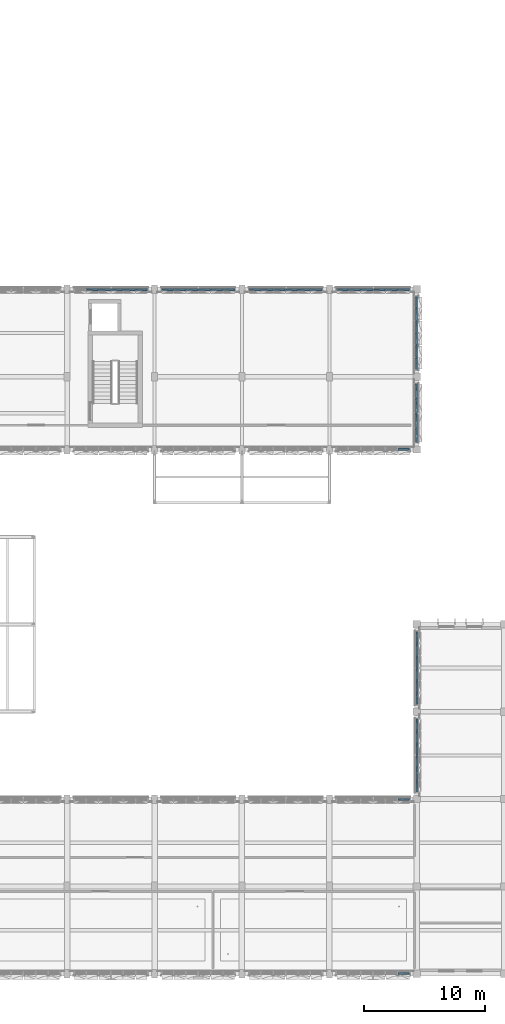
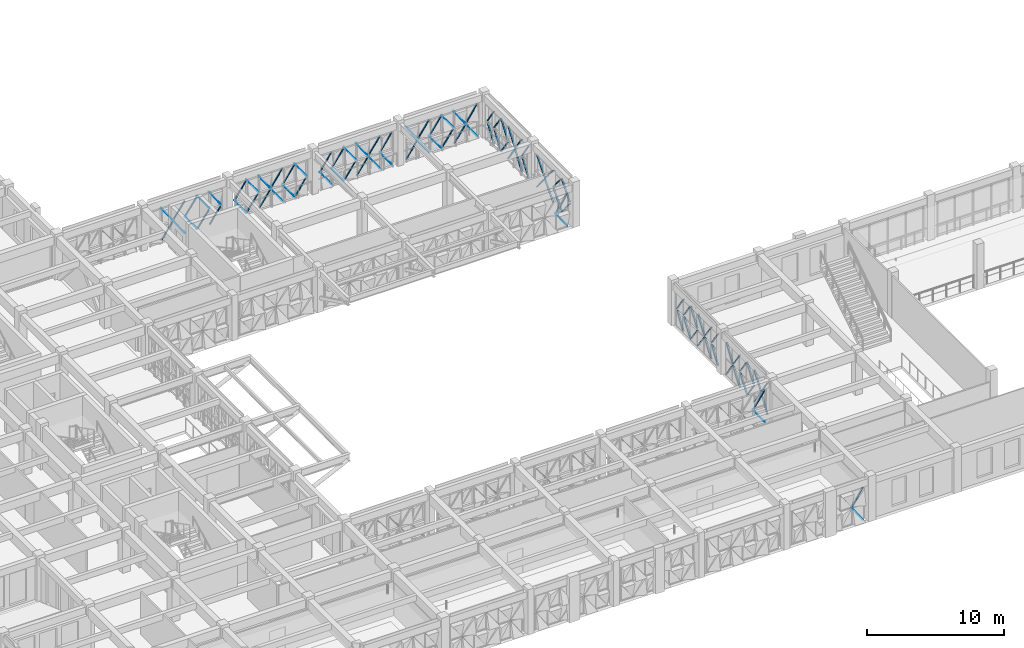
# One storey, part 54 of 88: 96 discrete accessories.
"""IFC4 building model written with IfcOpenShell, lengths in metres."""

from ifc_helpers import new_model, si_unit, direction, frame, origin, origin_2d, place, context, subcontext, project, spatial, rectangle, extrude, material, type_object, element, save


model = new_model("IFC4")

# Units and contexts
model_context = context("Model", 3, precision=1e-05, world=origin(), true_north=direction((0.0, 1.0)))
body_context = subcontext(model_context, "Body", "Model", "MODEL_VIEW")
ifc_project = project(units=[si_unit("LENGTHUNIT", "METRE"), si_unit("AREAUNIT", "SQUARE_METRE"), si_unit("VOLUMEUNIT", "CUBIC_METRE"), si_unit("PLANEANGLEUNIT", "RADIAN"), si_unit("MASSUNIT", "GRAM", prefix="KILO")], contexts=[model_context])

# Site, building, storey
site_placement = place(None, origin())
site = spatial("IfcSite", under=ifc_project, at=site_placement, CompositionType="ELEMENT")
building_placement = place(site_placement, origin())
building = spatial("IfcBuilding", under=site, at=building_placement, Name="Alvorim Cloister Faculty of Sciences", CompositionType="ELEMENT")
storey_placement = place(building_placement, frame((0.0, 0.0, 4.5)))
storey = spatial("IfcBuildingStorey", under=building, at=storey_placement, Name="L01", CompositionType="ELEMENT", Elevation=4.5)

# Discrete accessories
ifc_material = material(Name="Aluminium Alloy 6063-T6", Category="aluminium")
discrete_accessory_type = type_object("IfcDiscreteAccessoryType", Name="ACC-DIAG-BAR", PredefinedType="BRACKET", material=ifc_material)
for number, where, z_axis, x_axis, name in (
    (1, (37.597412109375, 56.37744140625, 0.159912109375), (0.574916047252, -0.00608926839, 0.818189745366), (0.010590984364, 0.999943913952, 0.0), "Diagonal Cassette Glazing Bracket ACC-00077"),
    (2, (37.597412109375, 56.37744140625, 3.010009765625), (0.574916047252, -0.00608926839, -0.818189745366), (0.010590984364, 0.999943913952, 0.0), "Diagonal Cassette Glazing Bracket ACC-00078"),
    (3, (38.617431640625, 56.37744140625, 1.5048828125), (0.574916047252, -0.00608926839, -0.818189745366), (0.010590984364, 0.999943913952, 0.0), "Diagonal Cassette Glazing Bracket ACC-00079"),
    (4, (38.617431640625, 56.37744140625, 1.6650390625), (0.574916047252, -0.00608926839, 0.818189745366), (0.010590984364, 0.999943913952, 0.0), "Diagonal Cassette Glazing Bracket ACC-00080"),
    (5, (39.637451171875, 56.37744140625, 1.5048828125), (0.574916047252, -0.00608926839, -0.818189745366), (0.010590984364, 0.999943913952, 0.0), "Diagonal Cassette Glazing Bracket ACC-00081"),
    (6, (39.637451171875, 56.37744140625, 1.6650390625), (0.574916047252, -0.00608926839, 0.818189745366), (0.010590984364, 0.999943913952, 0.0), "Diagonal Cassette Glazing Bracket ACC-00082"),
    (7, (40.657470703125, 56.37744140625, 0.159912109375), (0.574916047252, -0.00608926839, 0.818189745366), (0.010590984364, 0.999943913952, 0.0), "Diagonal Cassette Glazing Bracket ACC-00083"),
    (8, (40.657470703125, 56.37744140625, 3.010009765625), (0.574916047252, -0.00608926839, -0.818189745366), (0.010590984364, 0.999943913952, 0.0), "Diagonal Cassette Glazing Bracket ACC-00084"),
):
    element("IfcDiscreteAccessory", number, at=place(storey_placement, frame(where, z_axis=z_axis, x_axis=x_axis)), inside=storey, type_object=discrete_accessory_type, Name=name, PredefinedType="BRACKET", context=body_context, shape_type="SweptSolid", body=[
        extrude(rectangle(XDim=0.139892578125, YDim=0.044921875, at=origin_2d()), origin(), (0.0, 0.0, 1.0), 1.643798828125),
    ])
for number, where, z_axis, x_axis, name in (
    (9, (41.677490234375, 56.37744140625, 0.159912109375), (0.559299386617, -0.006169296436, 0.828942782049), (0.011029729889, 0.999939170679, 0.0), "Diagonal Cassette Glazing Bracket ACC-00085"),
    (10, (41.677490234375, 56.37744140625, 3.010009765625), (0.559299386617, -0.006169296436, -0.828942782049), (0.011029729889, 0.999939170679, 0.0), "Diagonal Cassette Glazing Bracket ACC-00086"),
    (11, (43.81494140625, 56.37744140625, 1.5048828125), (0.559299386617, -0.006169296436, -0.828942782049), (0.011029729889, 0.999939170679, 0.0), "Diagonal Cassette Glazing Bracket ACC-00088"),
    (12, (43.81494140625, 56.37744140625, 1.6650390625), (0.559299386617, -0.006169296436, 0.828942782049), (0.011029729889, 0.999939170679, 0.0), "Diagonal Cassette Glazing Bracket ACC-00089"),
):
    element("IfcDiscreteAccessory", number, at=place(storey_placement, frame(where, z_axis=z_axis, x_axis=x_axis)), inside=storey, type_object=discrete_accessory_type, Name=name, PredefinedType="BRACKET", context=body_context, shape_type="SweptSolid", body=[
        extrude(rectangle(XDim=0.139892578125, YDim=0.044921875, at=origin_2d()), origin(), (0.0, 0.0, 1.0), 1.62255859375),
    ])
for number, where, z_axis, x_axis, name in (
    (13, (44.797607421875, 56.37744140625, 0.159912109375), (0.574816605447, -0.006089788326, 0.818259607081), (0.010593720745, 0.999943884966, 0.0), "Diagonal Cassette Glazing Bracket ACC-00090"),
    (14, (44.797607421875, 56.37744140625, 3.010009765625), (0.574816605447, -0.006089788326, -0.818259607081), (0.010593720745, 0.999943884966, 0.0), "Diagonal Cassette Glazing Bracket ACC-00091"),
    (15, (45.8173828125, 56.37744140625, 0.159912109375), (0.574916047252, -0.00608926839, 0.818189745366), (0.010590984364, 0.999943913952, 0.0), "Diagonal Cassette Glazing Bracket ACC-00092"),
    (16, (45.8173828125, 56.37744140625, 3.010009765625), (0.574916047252, -0.00608926839, -0.818189745366), (0.010590984364, 0.999943913952, 0.0), "Diagonal Cassette Glazing Bracket ACC-00093"),
    (17, (46.83740234375, 56.37744140625, 1.5048828125), (0.574916047252, -0.00608926839, -0.818189745366), (0.010590984364, 0.999943913952, 0.0), "Diagonal Cassette Glazing Bracket ACC-00094"),
    (18, (46.83740234375, 56.37744140625, 1.6650390625), (0.574916047252, -0.00608926839, 0.818189745366), (0.010590984364, 0.999943913952, 0.0), "Diagonal Cassette Glazing Bracket ACC-00095"),
    (19, (47.857421875, 56.37744140625, 1.5048828125), (0.574916047252, -0.00608926839, -0.818189745366), (0.010590984364, 0.999943913952, 0.0), "Diagonal Cassette Glazing Bracket ACC-00096"),
    (20, (47.857421875, 56.37744140625, 1.6650390625), (0.574916047252, -0.00608926839, 0.818189745366), (0.010590984364, 0.999943913952, 0.0), "Diagonal Cassette Glazing Bracket ACC-00097"),
):
    element("IfcDiscreteAccessory", number, at=place(storey_placement, frame(where, z_axis=z_axis, x_axis=x_axis)), inside=storey, type_object=discrete_accessory_type, Name=name, PredefinedType="BRACKET", context=body_context, shape_type="SweptSolid", body=[
        extrude(rectangle(XDim=0.139892578125, YDim=0.044921875, at=origin_2d()), origin(), (0.0, 0.0, 1.0), 1.643798828125),
    ])
for number, where, z_axis, x_axis, name in (
    (21, (48.87744140625, 56.37744140625, 0.159912109375), (0.559299386617, -0.006169296436, 0.828942782049), (0.011029729889, 0.999939170679, 0.0), "Diagonal Cassette Glazing Bracket ACC-00098"),
    (22, (48.87744140625, 56.37744140625, 3.010009765625), (0.559299386617, -0.006169296436, -0.828942782049), (0.011029729889, 0.999939170679, 0.0), "Diagonal Cassette Glazing Bracket ACC-00099"),
    (23, (51.014892578125, 56.37744140625, 1.5048828125), (0.559402774614, -0.006168777235, -0.82887301919), (0.011026763674, 0.999939203393, 0.0), "Diagonal Cassette Glazing Bracket ACC-00101"),
    (24, (51.014892578125, 56.37744140625, 1.6650390625), (0.559402774614, -0.006168777235, 0.82887301919), (0.011026763674, 0.999939203393, 0.0), "Diagonal Cassette Glazing Bracket ACC-00102"),
):
    element("IfcDiscreteAccessory", number, at=place(storey_placement, frame(where, z_axis=z_axis, x_axis=x_axis)), inside=storey, type_object=discrete_accessory_type, Name=name, PredefinedType="BRACKET", context=body_context, shape_type="SweptSolid", body=[
        extrude(rectangle(XDim=0.139892578125, YDim=0.044921875, at=origin_2d()), origin(), (0.0, 0.0, 1.0), 1.62255859375),
    ])
for number, where, z_axis, x_axis, name in (
    (25, (51.99755859375, 56.37744140625, 1.5048828125), (0.574816605447, -0.006089788326, -0.818259607081), (0.010593720745, 0.999943884966, 0.0), "Diagonal Cassette Glazing Bracket ACC-00103"),
    (26, (51.99755859375, 56.37744140625, 1.6650390625), (0.574816605447, -0.006089788326, 0.818259607081), (0.010593720745, 0.999943884966, 0.0), "Diagonal Cassette Glazing Bracket ACC-00104"),
    (27, (53.017578125, 56.37744140625, 0.159912109375), (0.574816605447, -0.006089788326, 0.818259607081), (0.010593720745, 0.999943884966, 0.0), "Diagonal Cassette Glazing Bracket ACC-00105"),
    (28, (53.017578125, 56.37744140625, 3.010009765625), (0.574816605447, -0.006089788326, -0.818259607081), (0.010593720745, 0.999943884966, 0.0), "Diagonal Cassette Glazing Bracket ACC-00106"),
    (29, (54.03759765625, 56.37744140625, 0.159912109375), (0.574816605447, -0.006089788326, 0.818259607081), (0.010593720745, 0.999943884966, 0.0), "Diagonal Cassette Glazing Bracket ACC-00107"),
    (30, (54.03759765625, 56.37744140625, 3.010009765625), (0.574816605447, -0.006089788326, -0.818259607081), (0.010593720745, 0.999943884966, 0.0), "Diagonal Cassette Glazing Bracket ACC-00108"),
    (31, (55.0576171875, 56.37744140625, 1.5048828125), (0.574816605447, -0.006089788326, -0.818259607081), (0.010593720745, 0.999943884966, 0.0), "Diagonal Cassette Glazing Bracket ACC-00109"),
    (32, (55.0576171875, 56.37744140625, 1.6650390625), (0.574816605447, -0.006089788326, 0.818259607081), (0.010593720745, 0.999943884966, 0.0), "Diagonal Cassette Glazing Bracket ACC-00110"),
):
    element("IfcDiscreteAccessory", number, at=place(storey_placement, frame(where, z_axis=z_axis, x_axis=x_axis)), inside=storey, type_object=discrete_accessory_type, Name=name, PredefinedType="BRACKET", context=body_context, shape_type="SweptSolid", body=[
        extrude(rectangle(XDim=0.139892578125, YDim=0.044921875, at=origin_2d()), origin(), (0.0, 0.0, 1.0), 1.643798828125),
    ])
for number, where, z_axis, x_axis, name in (
    (33, (56.077392578125, 56.37744140625, 1.5048828125), (0.559402774614, -0.006168777235, -0.82887301919), (0.011026763674, 0.999939203393, 0.0), "Diagonal Cassette Glazing Bracket ACC-00111"),
    (34, (56.077392578125, 56.37744140625, 1.6650390625), (0.559402774614, -0.006168777235, 0.82887301919), (0.011026763674, 0.999939203393, 0.0), "Diagonal Cassette Glazing Bracket ACC-00112"),
    (35, (58.215087890625, 56.37744140625, 0.159912109375), (0.559299386617, -0.006169296436, 0.828942782049), (0.011029729889, 0.999939170679, 0.0), "Diagonal Cassette Glazing Bracket ACC-00114"),
    (36, (58.215087890625, 56.37744140625, 3.010009765625), (0.559299386617, -0.006169296436, -0.828942782049), (0.011029729889, 0.999939170679, 0.0), "Diagonal Cassette Glazing Bracket ACC-00115"),
):
    element("IfcDiscreteAccessory", number, at=place(storey_placement, frame(where, z_axis=z_axis, x_axis=x_axis)), inside=storey, type_object=discrete_accessory_type, Name=name, PredefinedType="BRACKET", context=body_context, shape_type="SweptSolid", body=[
        extrude(rectangle(XDim=0.139892578125, YDim=0.044921875, at=origin_2d()), origin(), (0.0, 0.0, 1.0), 1.62255859375),
    ])
for number, where, z_axis, x_axis, name in (
    (37, (59.197509765625, 56.37744140625, 1.5048828125), (0.574916047252, -0.00608926839, -0.818189745366), (0.010590984364, 0.999943913952, 0.0), "Diagonal Cassette Glazing Bracket ACC-00116"),
    (38, (59.197509765625, 56.37744140625, 1.6650390625), (0.574916047252, -0.00608926839, 0.818189745366), (0.010590984364, 0.999943913952, 0.0), "Diagonal Cassette Glazing Bracket ACC-00117"),
    (39, (60.217529296875, 56.37744140625, 1.5048828125), (0.574916047252, -0.00608926839, -0.818189745366), (0.010590984364, 0.999943913952, 0.0), "Diagonal Cassette Glazing Bracket ACC-00118"),
    (40, (60.217529296875, 56.37744140625, 1.6650390625), (0.574916047252, -0.00608926839, 0.818189745366), (0.010590984364, 0.999943913952, 0.0), "Diagonal Cassette Glazing Bracket ACC-00119"),
    (41, (61.237548828125, 56.37744140625, 0.159912109375), (0.574916047252, -0.00608926839, 0.818189745366), (0.010590984364, 0.999943913952, 0.0), "Diagonal Cassette Glazing Bracket ACC-00120"),
    (42, (61.237548828125, 56.37744140625, 3.010009765625), (0.574916047252, -0.00608926839, -0.818189745366), (0.010590984364, 0.999943913952, 0.0), "Diagonal Cassette Glazing Bracket ACC-00121"),
    (43, (62.257568359375, 56.37744140625, 0.159912109375), (0.574816605447, -0.006089788326, 0.818259607081), (0.010593720745, 0.999943884966, 0.0), "Diagonal Cassette Glazing Bracket ACC-00122"),
    (44, (62.257568359375, 56.37744140625, 3.010009765625), (0.574816605447, -0.006089788326, -0.818259607081), (0.010593720745, 0.999943884966, 0.0), "Diagonal Cassette Glazing Bracket ACC-00123"),
):
    element("IfcDiscreteAccessory", number, at=place(storey_placement, frame(where, z_axis=z_axis, x_axis=x_axis)), inside=storey, type_object=discrete_accessory_type, Name=name, PredefinedType="BRACKET", context=body_context, shape_type="SweptSolid", body=[
        extrude(rectangle(XDim=0.139892578125, YDim=0.044921875, at=origin_2d()), origin(), (0.0, 0.0, 1.0), 1.643798828125),
    ])
for number, where, z_axis, x_axis, name in (
    (45, (63.277587890625, 56.37744140625, 1.5048828125), (0.559299386617, -0.006169296436, -0.828942782049), (0.011029729889, 0.999939170679, 0.0), "Diagonal Cassette Glazing Bracket ACC-00124"),
    (46, (63.277587890625, 56.37744140625, 1.6650390625), (0.559299386617, -0.006169296436, 0.828942782049), (0.011029729889, 0.999939170679, 0.0), "Diagonal Cassette Glazing Bracket ACC-00125"),
    (47, (64.777587890625, 49.81494140625, 0.159912109375), (-0.006169296436, 0.559299386617, 0.828942782049), (-0.999939170679, -0.011029729889, 0.0), "Diagonal Cassette Glazing Bracket ACC-00127"),
    (48, (64.777587890625, 49.81494140625, 3.010009765625), (-0.006169296436, 0.559299386617, -0.828942782049), (-0.999939170679, -0.011029729889, 0.0), "Diagonal Cassette Glazing Bracket ACC-00128"),
):
    element("IfcDiscreteAccessory", number, at=place(storey_placement, frame(where, z_axis=z_axis, x_axis=x_axis)), inside=storey, type_object=discrete_accessory_type, Name=name, PredefinedType="BRACKET", context=body_context, shape_type="SweptSolid", body=[
        extrude(rectangle(XDim=0.139892578125, YDim=0.044921875, at=origin_2d()), origin(), (0.0, 0.0, 1.0), 1.62255859375),
    ])
for number, where, z_axis, x_axis, name in (
    (49, (64.777587890625, 50.797607421875, 0.159912109375), (-0.006089788326, 0.574816605447, 0.818259607081), (-0.999943884966, -0.010593720745, 0.0), "Diagonal Cassette Glazing Bracket ACC-00129"),
    (50, (64.777587890625, 50.797607421875, 3.010009765625), (-0.006089788326, 0.574816605447, -0.818259607081), (-0.999943884966, -0.010593720745, 0.0), "Diagonal Cassette Glazing Bracket ACC-00130"),
    (51, (64.777587890625, 51.8173828125, 1.5048828125), (-0.00608926839, 0.574916047252, -0.818189745366), (-0.999943913952, -0.010590984364, 0.0), "Diagonal Cassette Glazing Bracket ACC-00131"),
    (52, (64.777587890625, 51.8173828125, 1.6650390625), (-0.00608926839, 0.574916047252, 0.818189745366), (-0.999943913952, -0.010590984364, 0.0), "Diagonal Cassette Glazing Bracket ACC-00132"),
    (53, (64.777587890625, 52.83740234375, 1.5048828125), (-0.00608926839, 0.574916047252, -0.818189745366), (-0.999943913952, -0.010590984364, 0.0), "Diagonal Cassette Glazing Bracket ACC-00133"),
    (54, (64.777587890625, 52.83740234375, 1.6650390625), (-0.00608926839, 0.574916047252, 0.818189745366), (-0.999943913952, -0.010590984364, 0.0), "Diagonal Cassette Glazing Bracket ACC-00134"),
    (55, (64.777587890625, 53.857421875, 0.159912109375), (-0.00608926839, 0.574916047252, 0.818189745366), (-0.999943913952, -0.010590984364, 0.0), "Diagonal Cassette Glazing Bracket ACC-00135"),
    (56, (64.777587890625, 53.857421875, 3.010009765625), (-0.00608926839, 0.574916047252, -0.818189745366), (-0.999943913952, -0.010590984364, 0.0), "Diagonal Cassette Glazing Bracket ACC-00136"),
):
    element("IfcDiscreteAccessory", number, at=place(storey_placement, frame(where, z_axis=z_axis, x_axis=x_axis)), inside=storey, type_object=discrete_accessory_type, Name=name, PredefinedType="BRACKET", context=body_context, shape_type="SweptSolid", body=[
        extrude(rectangle(XDim=0.139892578125, YDim=0.044921875, at=origin_2d()), origin(), (0.0, 0.0, 1.0), 1.643798828125),
    ])
for number, where, z_axis, x_axis, name in (
    (57, (64.777587890625, 54.87744140625, 0.159912109375), (-0.006169296436, 0.559299386617, 0.828942782049), (-0.999939170679, -0.011029729889, 0.0), "Diagonal Cassette Glazing Bracket ACC-00137"),
    (58, (64.777587890625, 54.87744140625, 3.010009765625), (-0.006169296436, 0.559299386617, -0.828942782049), (-0.999939170679, -0.011029729889, 0.0), "Diagonal Cassette Glazing Bracket ACC-00138"),
):
    element("IfcDiscreteAccessory", number, at=place(storey_placement, frame(where, z_axis=z_axis, x_axis=x_axis)), inside=storey, type_object=discrete_accessory_type, Name=name, PredefinedType="BRACKET", context=body_context, shape_type="SweptSolid", body=[
        extrude(rectangle(XDim=0.139892578125, YDim=0.044921875, at=origin_2d()), origin(), (0.0, 0.0, 1.0), 1.62255859375),
    ])
for number, where, z_axis, x_axis, name in (
    (59, (64.777587890625, 43.81494140625, 1.5048828125), (-0.005723843268, 0.639115962921, -0.76908908688), (-0.999959898555, -0.008955516785, 0.0), "Diagonal Cassette Glazing Bracket ACC-00140"),
    (60, (64.777587890625, 43.81494140625, 1.6650390625), (-0.005723843268, 0.639115962921, 0.76908908688), (-0.999959898555, -0.008955516785, 0.0), "Diagonal Cassette Glazing Bracket ACC-00141"),
):
    element("IfcDiscreteAccessory", number, at=place(storey_placement, frame(where, z_axis=z_axis, x_axis=x_axis)), inside=storey, type_object=discrete_accessory_type, Name=name, PredefinedType="BRACKET", context=body_context, shape_type="SweptSolid", body=[
        extrude(rectangle(XDim=0.139892578125, YDim=0.044921875, at=origin_2d()), origin(), (0.0, 0.0, 1.0), 1.748779296875),
    ])
for number, where, z_axis, x_axis, name in (
    (61, (64.777587890625, 45.007568359375, 0.159912109375), (-0.005646016079, 0.651495172434, 0.758631770227), (-0.999962450223, -0.008665918508, 0.0), "Diagonal Cassette Glazing Bracket ACC-00142"),
    (62, (64.777587890625, 45.007568359375, 3.010009765625), (-0.005646016079, 0.651495172434, -0.758631770227), (-0.999962450223, -0.008665918508, 0.0), "Diagonal Cassette Glazing Bracket ACC-00143"),
    (63, (64.777587890625, 46.237548828125, 0.159912109375), (-0.005646016079, 0.651495172434, 0.758631770227), (-0.999962450223, -0.008665918508, 0.0), "Diagonal Cassette Glazing Bracket ACC-00144"),
    (64, (64.777587890625, 46.237548828125, 3.010009765625), (-0.005646016079, 0.651495172434, -0.758631770227), (-0.999962450223, -0.008665918508, 0.0), "Diagonal Cassette Glazing Bracket ACC-00145"),
):
    element("IfcDiscreteAccessory", number, at=place(storey_placement, frame(where, z_axis=z_axis, x_axis=x_axis)), inside=storey, type_object=discrete_accessory_type, Name=name, PredefinedType="BRACKET", context=body_context, shape_type="SweptSolid", body=[
        extrude(rectangle(XDim=0.139892578125, YDim=0.044921875, at=origin_2d()), origin(), (0.0, 0.0, 1.0), 1.77294921875),
    ])
for number, where, z_axis, x_axis, name in (
    (65, (64.777587890625, 47.467529296875, 1.5048828125), (-0.005724353987, 0.639033370661, -0.769157710066), (-0.999959881032, -0.008957473262, 0.0), "Diagonal Cassette Glazing Bracket ACC-00146"),
    (66, (64.777587890625, 47.467529296875, 1.6650390625), (-0.005724353987, 0.639033370661, 0.769157710066), (-0.999959881032, -0.008957473262, 0.0), "Diagonal Cassette Glazing Bracket ACC-00147"),
):
    element("IfcDiscreteAccessory", number, at=place(storey_placement, frame(where, z_axis=z_axis, x_axis=x_axis)), inside=storey, type_object=discrete_accessory_type, Name=name, PredefinedType="BRACKET", context=body_context, shape_type="SweptSolid", body=[
        extrude(rectangle(XDim=0.139892578125, YDim=0.044921875, at=origin_2d()), origin(), (0.0, 0.0, 1.0), 1.74853515625),
    ])
for number, where, z_axis, x_axis, name in (
    (67, (63.277587890625, 43.222412109375, 1.5048828125), (0.559299386617, 0.006169296436, -0.828942782049), (-0.011029729889, 0.999939170679, 0.0), "Diagonal Cassette Glazing Bracket ACC-00159"),
    (68, (63.277587890625, 43.222412109375, 1.6650390625), (0.559299386617, 0.006169296436, 0.828942782049), (-0.011029729889, 0.999939170679, 0.0), "Diagonal Cassette Glazing Bracket ACC-00160"),
    (69, (63.277587890625, 14.37744140625, 1.5048828125), (0.559299386617, -0.006169296436, -0.828942782049), (0.011029729889, 0.999939170679, 0.0), "Diagonal Cassette Glazing Bracket ACC-00315"),
    (70, (63.277587890625, 14.37744140625, 1.6650390625), (0.559299386617, -0.006169296436, 0.828942782049), (0.011029729889, 0.999939170679, 0.0), "Diagonal Cassette Glazing Bracket ACC-00316"),
    (71, (64.822509765625, 15.014892578125, 0.159912109375), (0.006168777235, 0.559402774614, 0.82887301919), (-0.999939203393, 0.011026763674, 0.0), "Diagonal Cassette Glazing Bracket ACC-00318"),
    (72, (64.822509765625, 15.014892578125, 3.010009765625), (0.006168777235, 0.559402774614, -0.82887301919), (-0.999939203393, 0.011026763674, 0.0), "Diagonal Cassette Glazing Bracket ACC-00319"),
):
    element("IfcDiscreteAccessory", number, at=place(storey_placement, frame(where, z_axis=z_axis, x_axis=x_axis)), inside=storey, type_object=discrete_accessory_type, Name=name, PredefinedType="BRACKET", context=body_context, shape_type="SweptSolid", body=[
        extrude(rectangle(XDim=0.139892578125, YDim=0.044921875, at=origin_2d()), origin(), (0.0, 0.0, 1.0), 1.62255859375),
    ])
for number, where, z_axis, x_axis, name in (
    (73, (64.822509765625, 15.99755859375, 1.5048828125), (0.006089788326, 0.574816605447, -0.818259607081), (-0.999943884966, 0.010593720745, 0.0), "Diagonal Cassette Glazing Bracket ACC-00320"),
    (74, (64.822509765625, 15.99755859375, 1.6650390625), (0.006089788326, 0.574816605447, 0.818259607081), (-0.999943884966, 0.010593720745, 0.0), "Diagonal Cassette Glazing Bracket ACC-00321"),
    (75, (64.822509765625, 17.017578125, 1.5048828125), (0.006089788326, 0.574816605447, -0.818259607081), (-0.999943884966, 0.010593720745, 0.0), "Diagonal Cassette Glazing Bracket ACC-00322"),
    (76, (64.822509765625, 17.017578125, 1.6650390625), (0.006089788326, 0.574816605447, 0.818259607081), (-0.999943884966, 0.010593720745, 0.0), "Diagonal Cassette Glazing Bracket ACC-00323"),
    (77, (64.822509765625, 18.03759765625, 0.159912109375), (0.006089788326, 0.574816605447, 0.818259607081), (-0.999943884966, 0.010593720745, 0.0), "Diagonal Cassette Glazing Bracket ACC-00324"),
    (78, (64.822509765625, 18.03759765625, 3.010009765625), (0.006089788326, 0.574816605447, -0.818259607081), (-0.999943884966, 0.010593720745, 0.0), "Diagonal Cassette Glazing Bracket ACC-00325"),
    (79, (64.822509765625, 19.0576171875, 0.159912109375), (0.006089788326, 0.574816605447, 0.818259607081), (-0.999943884966, 0.010593720745, 0.0), "Diagonal Cassette Glazing Bracket ACC-00326"),
    (80, (64.822509765625, 19.0576171875, 3.010009765625), (0.006089788326, 0.574816605447, -0.818259607081), (-0.999943884966, 0.010593720745, 0.0), "Diagonal Cassette Glazing Bracket ACC-00327"),
):
    element("IfcDiscreteAccessory", number, at=place(storey_placement, frame(where, z_axis=z_axis, x_axis=x_axis)), inside=storey, type_object=discrete_accessory_type, Name=name, PredefinedType="BRACKET", context=body_context, shape_type="SweptSolid", body=[
        extrude(rectangle(XDim=0.139892578125, YDim=0.044921875, at=origin_2d()), origin(), (0.0, 0.0, 1.0), 1.643798828125),
    ])
for number, where, z_axis, x_axis, name in (
    (81, (64.822509765625, 20.077392578125, 1.5048828125), (0.006168777235, 0.559402774614, -0.82887301919), (-0.999939203393, 0.011026763674, 0.0), "Diagonal Cassette Glazing Bracket ACC-00328"),
    (82, (64.822509765625, 20.077392578125, 1.6650390625), (0.006168777235, 0.559402774614, 0.82887301919), (-0.999939203393, 0.011026763674, 0.0), "Diagonal Cassette Glazing Bracket ACC-00329"),
    (83, (64.822509765625, 22.215087890625, 0.159912109375), (0.006169296436, 0.559299386617, 0.828942782049), (-0.999939170679, 0.011029729889, 0.0), "Diagonal Cassette Glazing Bracket ACC-00331"),
    (84, (64.822509765625, 22.215087890625, 3.010009765625), (0.006169296436, 0.559299386617, -0.828942782049), (-0.999939170679, 0.011029729889, 0.0), "Diagonal Cassette Glazing Bracket ACC-00332"),
):
    element("IfcDiscreteAccessory", number, at=place(storey_placement, frame(where, z_axis=z_axis, x_axis=x_axis)), inside=storey, type_object=discrete_accessory_type, Name=name, PredefinedType="BRACKET", context=body_context, shape_type="SweptSolid", body=[
        extrude(rectangle(XDim=0.139892578125, YDim=0.044921875, at=origin_2d()), origin(), (0.0, 0.0, 1.0), 1.62255859375),
    ])
for number, where, z_axis, x_axis, name in (
    (85, (64.822509765625, 23.197509765625, 0.159912109375), (0.00608926839, 0.574916047252, 0.818189745366), (-0.999943913952, 0.010590984364, 0.0), "Diagonal Cassette Glazing Bracket ACC-00333"),
    (86, (64.822509765625, 23.197509765625, 3.010009765625), (0.00608926839, 0.574916047252, -0.818189745366), (-0.999943913952, 0.010590984364, 0.0), "Diagonal Cassette Glazing Bracket ACC-00334"),
    (87, (64.822509765625, 24.217529296875, 1.5048828125), (0.00608926839, 0.574916047252, -0.818189745366), (-0.999943913952, 0.010590984364, 0.0), "Diagonal Cassette Glazing Bracket ACC-00335"),
    (88, (64.822509765625, 24.217529296875, 1.6650390625), (0.00608926839, 0.574916047252, 0.818189745366), (-0.999943913952, 0.010590984364, 0.0), "Diagonal Cassette Glazing Bracket ACC-00336"),
    (89, (64.822509765625, 25.237548828125, 1.5048828125), (0.00608926839, 0.574916047252, -0.818189745366), (-0.999943913952, 0.010590984364, 0.0), "Diagonal Cassette Glazing Bracket ACC-00337"),
    (90, (64.822509765625, 25.237548828125, 1.6650390625), (0.00608926839, 0.574916047252, 0.818189745366), (-0.999943913952, 0.010590984364, 0.0), "Diagonal Cassette Glazing Bracket ACC-00338"),
    (91, (64.822509765625, 26.257568359375, 0.159912109375), (0.006089788326, 0.574816605447, 0.818259607081), (-0.999943884966, 0.010593720745, 0.0), "Diagonal Cassette Glazing Bracket ACC-00339"),
    (92, (64.822509765625, 26.257568359375, 3.010009765625), (0.006089788326, 0.574816605447, -0.818259607081), (-0.999943884966, 0.010593720745, 0.0), "Diagonal Cassette Glazing Bracket ACC-00340"),
):
    element("IfcDiscreteAccessory", number, at=place(storey_placement, frame(where, z_axis=z_axis, x_axis=x_axis)), inside=storey, type_object=discrete_accessory_type, Name=name, PredefinedType="BRACKET", context=body_context, shape_type="SweptSolid", body=[
        extrude(rectangle(XDim=0.139892578125, YDim=0.044921875, at=origin_2d()), origin(), (0.0, 0.0, 1.0), 1.643798828125),
    ])
for number, where, z_axis, x_axis, name in (
    (93, (64.822509765625, 27.277587890625, 0.159912109375), (0.006169296436, 0.559299386617, 0.828942782049), (-0.999939170679, 0.011029729889, 0.0), "Diagonal Cassette Glazing Bracket ACC-00341"),
    (94, (64.822509765625, 27.277587890625, 3.010009765625), (0.006169296436, 0.559299386617, -0.828942782049), (-0.999939170679, 0.011029729889, 0.0), "Diagonal Cassette Glazing Bracket ACC-00342"),
    (95, (63.277587890625, 0.0224609375, 1.5048828125), (0.559299386617, 0.006169296436, -0.828942782049), (-0.011029729889, 0.999939170679, 0.0), "Diagonal Cassette Glazing Bracket ACC-00354"),
    (96, (63.277587890625, 0.0224609375, 1.6650390625), (0.559299386617, 0.006169296436, 0.828942782049), (-0.011029729889, 0.999939170679, 0.0), "Diagonal Cassette Glazing Bracket ACC-00355"),
):
    element("IfcDiscreteAccessory", number, at=place(storey_placement, frame(where, z_axis=z_axis, x_axis=x_axis)), inside=storey, type_object=discrete_accessory_type, Name=name, PredefinedType="BRACKET", context=body_context, shape_type="SweptSolid", body=[
        extrude(rectangle(XDim=0.139892578125, YDim=0.044921875, at=origin_2d()), origin(), (0.0, 0.0, 1.0), 1.62255859375),
    ])

save(model, "model.ifc")
